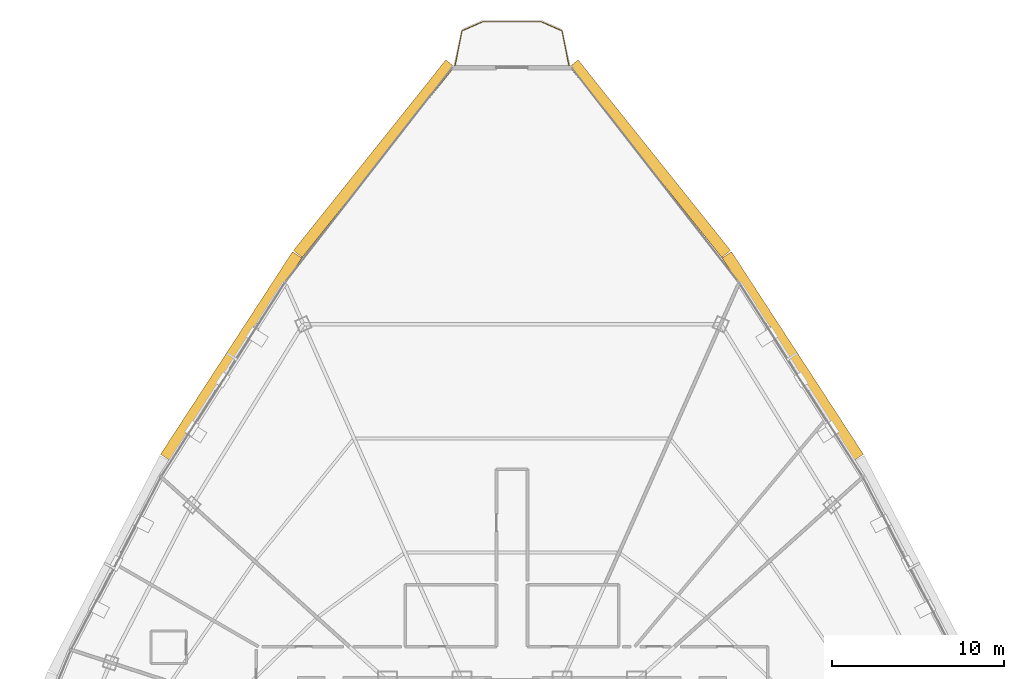
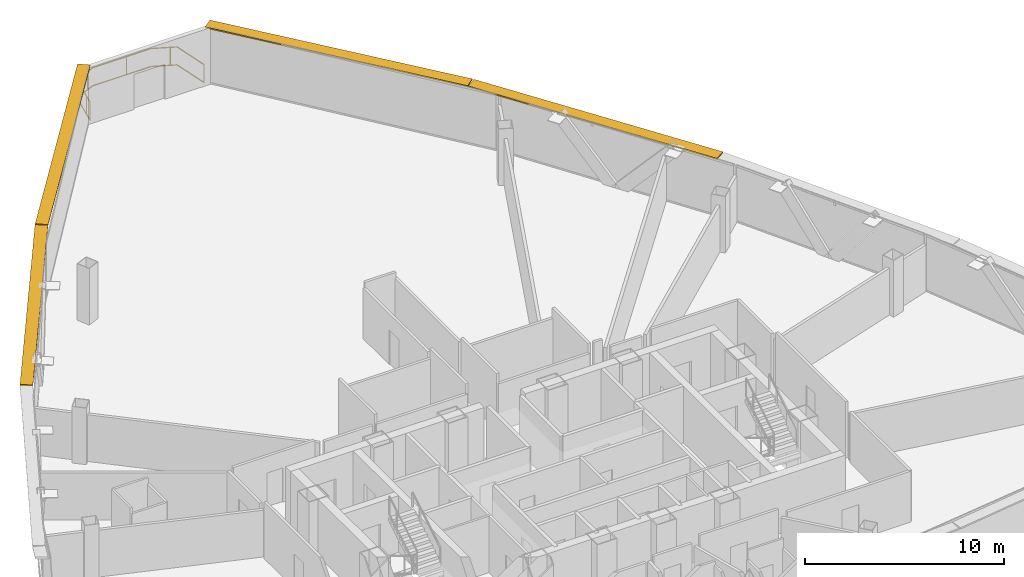
# One storey, part 39 of 39: 4 shading devices, 1 railing.
"""IFC4 building model written with IfcOpenShell, lengths in metres."""

from ifc_helpers import new_model, si_unit, direction, frame, origin, origin_2d, place, context, subcontext, project, spatial, rectangle, extrude, source, transform, mapped, material, layer, layer_set, type_object, element, save


model = new_model("IFC4")

# Units and contexts
model_context = context("Model", 3, precision=1e-05, world=origin(), true_north=direction((0.0, 1.0)))
body_context = subcontext(model_context, "Body", "Model", "MODEL_VIEW")
ifc_project = project(units=[si_unit("LENGTHUNIT", "METRE"), si_unit("AREAUNIT", "SQUARE_METRE"), si_unit("VOLUMEUNIT", "CUBIC_METRE"), si_unit("PLANEANGLEUNIT", "RADIAN"), si_unit("MASSUNIT", "GRAM", prefix="KILO"), si_unit("THERMODYNAMICTEMPERATUREUNIT", "KELVIN"), si_unit("POWERUNIT", "WATT")], contexts=[model_context])

# Site, building, storey
site_placement = place(None, origin())
site = spatial("IfcSite", under=ifc_project, at=site_placement, CompositionType="ELEMENT")
building_placement = place(site_placement, origin())
building = spatial("IfcBuilding", under=site, at=building_placement, Name="Yunzhuo Pagoda Commons", CompositionType="ELEMENT")
storey_placement = place(building_placement, frame((0.0, 0.0, 296.2099609375)))
storey = spatial("IfcBuildingStorey", under=building, at=storey_placement, Name="L74", CompositionType="ELEMENT", Elevation=296.2099609375)

# Railing
ifc_material = material(Name="Anodized aluminium 6063-T6", Category="aluminium")
railing_type = type_object("IfcRailingType", Name="RL-BAL1 Exterior Terrace & Balcony Balustrade 1150", PredefinedType="BALUSTRADE", material=ifc_material)
railing_placement = place(storey_placement, frame((51.304931640625, 75.920166015625, 0.0)))
element("IfcRailing", 1, at=railing_placement, inside=storey, type_object=railing_type, Name="L74 corner balcony balustrade V3", PredefinedType="BALUSTRADE", context=body_context, shape_type="SweptSolid", body=[
    extrude(rectangle(XDim=0.048095703125, YDim=0.048095703125, at=origin_2d()), frame((0.0, 0.0, 1.1259765625), z_axis=(-0.194200568098, 0.980961843983, 0.0), x_axis=(-0.980961843983, -0.194200568098, 0.0)), (0.0, 0.0, 1.0), 2.059326171875),
    extrude(rectangle(XDim=0.048095703125, YDim=0.048095703125, at=origin_2d()), frame((0.0, 0.0, 0.02392578125), z_axis=(-0.194200568098, 0.980961843983, 0.0), x_axis=(-0.980961843983, -0.194200568098, 0.0)), (0.0, 0.0, 1.0), 2.059326171875),
    extrude(rectangle(XDim=0.048095703125, YDim=0.048095703125, at=origin_2d()), frame((-0.39990234375, 2.02001953125, 1.1259765625), z_axis=(-0.916296997847, 0.400499452854, 0.0), x_axis=(-0.400499452854, -0.916296997847, 0.0)), (0.0, 0.0, 1.0), 1.323486328125),
    extrude(rectangle(XDim=0.048095703125, YDim=0.048095703125, at=origin_2d()), frame((-0.39990234375, 2.02001953125, 0.02392578125), z_axis=(-0.916296997847, 0.400499452854, 0.0), x_axis=(-0.400499452854, -0.916296997847, 0.0)), (0.0, 0.0, 1.0), 1.323486328125),
    extrude(rectangle(XDim=0.048095703125, YDim=0.048095703125, at=origin_2d()), frame((-1.612548828125, 2.550048828125, 1.1259765625), z_axis=(-1.0, 0.0, 0.0), x_axis=(0.0, -1.0, 0.0)), (0.0, 0.0, 1.0), 3.384765625),
    extrude(rectangle(XDim=0.048095703125, YDim=0.048095703125, at=origin_2d()), frame((-1.612548828125, 2.550048828125, 0.02392578125), z_axis=(-1.0, 0.0, 0.0), x_axis=(0.0, -1.0, 0.0)), (0.0, 0.0, 1.0), 3.384765625),
    extrude(rectangle(XDim=0.048095703125, YDim=0.048095703125, at=origin_2d()), frame((-4.997314453125, 2.550048828125, 1.1259765625), z_axis=(-0.916296997847, -0.400499452854, 0.0), x_axis=(0.400499452854, -0.916296997847, 0.0)), (0.0, 0.0, 1.0), 1.323486328125),
    extrude(rectangle(XDim=0.048095703125, YDim=0.048095703125, at=origin_2d()), frame((-4.997314453125, 2.550048828125, 0.02392578125), z_axis=(-0.916296997847, -0.400499452854, 0.0), x_axis=(0.400499452854, -0.916296997847, 0.0)), (0.0, 0.0, 1.0), 1.323486328125),
    extrude(rectangle(XDim=0.048095703125, YDim=0.048095703125, at=origin_2d()), frame((-6.2099609375, 2.02001953125, 1.1259765625), z_axis=(-0.194200568098, -0.980961843983, 0.0), x_axis=(0.980961843983, -0.194200568098, 0.0)), (0.0, 0.0, 1.0), 2.059326171875),
    extrude(rectangle(XDim=0.048095703125, YDim=0.048095703125, at=origin_2d()), frame((-6.2099609375, 2.02001953125, 0.02392578125), z_axis=(-0.194200568098, -0.980961843983, 0.0), x_axis=(0.980961843983, -0.194200568098, 0.0)), (0.0, 0.0, 1.0), 2.059326171875),
    extrude(rectangle(XDim=0.0419921875, YDim=0.0419921875, at=origin_2d()), origin(), (0.0, 0.0, 1.0), 1.101806640625),
    extrude(rectangle(XDim=0.0419921875, YDim=0.0419921875, at=origin_2d()), frame((-0.712158203125, 2.156494140625, 0.0)), (0.0, 0.0, 1.0), 1.101806640625),
    extrude(rectangle(XDim=0.0419921875, YDim=0.0419921875, at=origin_2d()), frame((-3.02978515625, 2.550048828125, 0.0)), (0.0, 0.0, 1.0), 1.101806640625),
    extrude(rectangle(XDim=0.0419921875, YDim=0.0419921875, at=origin_2d()), frame((-5.393798828125, 2.376708984375, 0.0)), (0.0, 0.0, 1.0), 1.101806640625),
    extrude(rectangle(XDim=0.0419921875, YDim=0.0419921875, at=origin_2d()), frame((-6.5029296875, 0.53955078125, 0.0)), (0.0, 0.0, 1.0), 1.101806640625),
    extrude(rectangle(XDim=0.0419921875, YDim=0.0419921875, at=origin_2d()), frame((-6.60986328125, 0.0, 0.0)), (0.0, 0.0, 1.0), 1.101806640625),
])

# Shading devices
ifc_layer = layer(ifc_material, 0.080078125)
ifc_layer_set = layer_set([ifc_layer], Name="Anodized aluminium 6063-T6")
shading_device_type = type_object("IfcShadingDeviceType", Name="SH-SUN1 Pagoda Horizontal Sunshade Eave 650", PredefinedType="USERDEFINED", material=ifc_layer_set)
shared_shape_1 = source(origin(), body_context, "Body", "SweptSolid", [
    extrude(rectangle(XDim=14.165283203125, YDim=0.64990234375, at=origin_2d()), origin(), (0.0, 0.0, 1.0), 0.080078125),
])
for number, where, z_axis, x_axis, name in (
    (2, (56.00830078125, 70.522705078125, 3.389892578125), (0.0, 0.0, 1.0), (-0.624520471688, 0.781008438138, 0.0), "L74 horizontal pagoda sunshade eave F2.4"),
    (3, (39.99169921875, 70.522705078125, 3.389892578125), (0.0, 0.0, 1.0), (-0.624520471688, -0.781008438138, 0.0), "L74 horizontal pagoda sunshade eave F3.1"),
):
    element("IfcShadingDevice", number, at=place(storey_placement, frame(where, z_axis=z_axis, x_axis=x_axis)), inside=storey, type_object=shading_device_type, Name=name, ObjectType="SUNSHADE", PredefinedType="USERDEFINED", context=body_context, shape_type="MappedRepresentation", body=[
        mapped(shared_shape_1, transform((0.0, 0.0, 0.0), scale=1.0)),
    ])
shared_shape_2 = source(origin(), body_context, "Body", "SweptSolid", [
    extrude(rectangle(XDim=14.031005859375, YDim=0.64990234375, at=origin_2d()), origin(), (0.0, 0.0, 1.0), 0.080078125),
])
for number, where, z_axis, x_axis, name in (
    (4, (64.2978515625, 59.061767578125, 3.389892578125), (0.0, 0.0, 1.0), (-0.545853380833, 0.837880711458, 0.0), "L74 horizontal pagoda sunshade eave F2.3"),
    (5, (31.7021484375, 59.061767578125, 3.389892578125), (0.0, 0.0, 1.0), (-0.545853380833, -0.837880711458, 0.0), "L74 horizontal pagoda sunshade eave F3.2"),
):
    element("IfcShadingDevice", number, at=place(storey_placement, frame(where, z_axis=z_axis, x_axis=x_axis)), inside=storey, type_object=shading_device_type, Name=name, ObjectType="SUNSHADE", PredefinedType="USERDEFINED", context=body_context, shape_type="MappedRepresentation", body=[
        mapped(shared_shape_2, transform((0.0, 0.0, 0.0), scale=1.0)),
    ])

save(model, "model.ifc")
